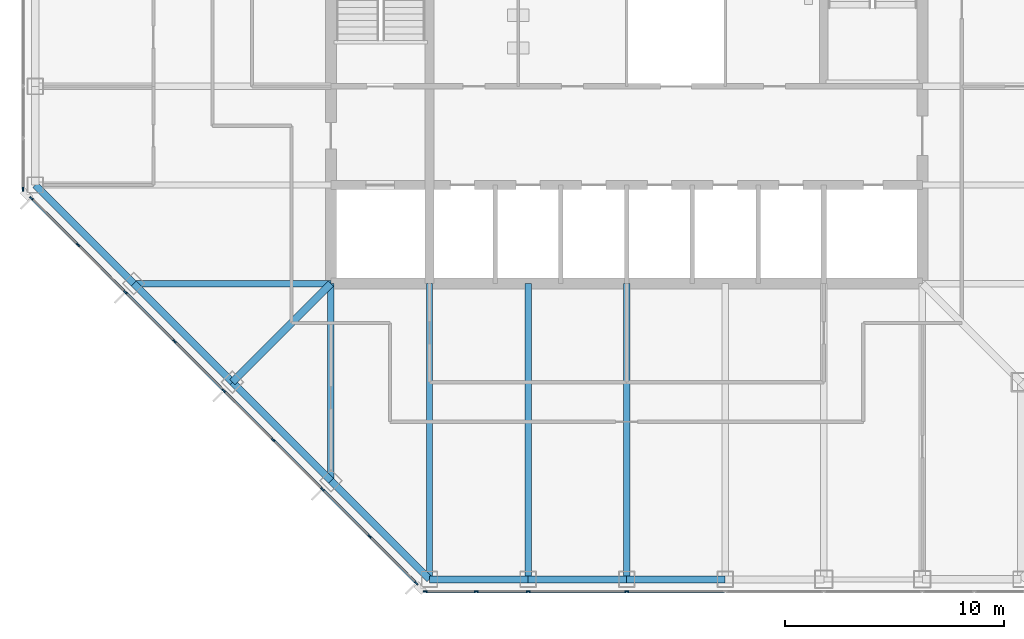
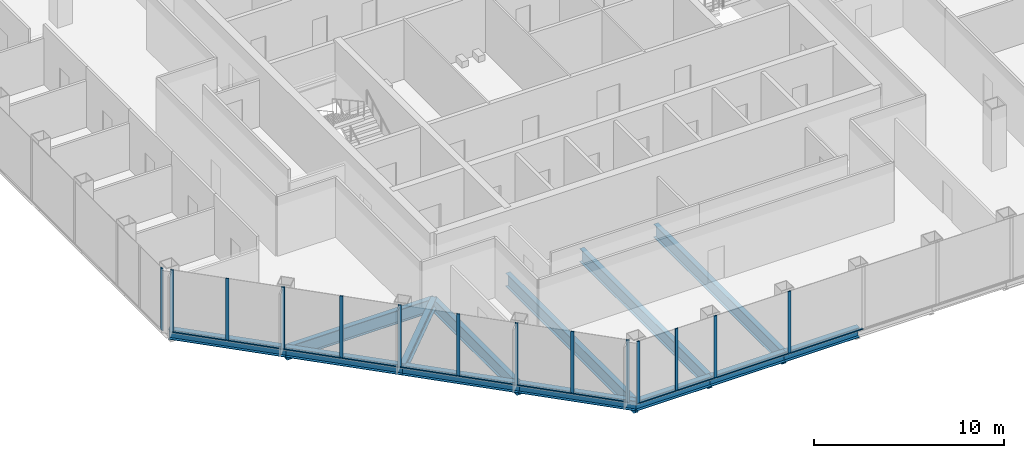
# One storey, part 2 of 13: 26 members, 13 beams, 3 elements without a shape of their own.
"""IFC4 building model written with IfcOpenShell, lengths in metres."""

import ifcopenshell
import ifcopenshell.guid

model = None  # the IFC model being written
_history = None  # IfcOwnerHistory: only IFC2X3 demands one
_inside = {}  # id of a spatial element -> (the spatial element, [elements in it])
_under = {}  # id of a project, library or spatial element -> (it, [spatial elements below it])
_declared = {}  # id of a project -> (the project, [libraries it declares])
_typed = {}  # id of a type object -> (the type object, [elements of that type])
_made_of = {}  # id of a material, layer set ... -> (it, [elements and type objects made of it])


def new_model(schema):
    """Start an empty IFC model of exactly this schema.

    Asked for "IFC4X3", IfcOpenShell would pick the latest addendum, in which some entities
    have other attributes; the version numbers below select the first issue.
    IFC2X3 requires an IfcOwnerHistory on every rooted entity: one is made here for all.
    """
    global model, _history
    if schema == "IFC4X3":
        model = ifcopenshell.file(schema_version=(4, 3, 0, 0))
    else:
        model = ifcopenshell.file(schema=schema)
    _inside.clear()
    _under.clear()
    _declared.clear()
    _typed.clear()
    _made_of.clear()
    _history = None
    if model.schema == "IFC2X3":
        org = make("IfcOrganization", Name="unknown")
        user = make(
            "IfcPersonAndOrganization",
            ThePerson=make("IfcPerson", FamilyName="unknown"),
            TheOrganization=org,
        )
        app = make(
            "IfcApplication",
            ApplicationDeveloper=org,
            Version="unknown",
            ApplicationFullName="unknown",
            ApplicationIdentifier="unknown",
        )
        _history = make(
            "IfcOwnerHistory",
            OwningUser=user,
            OwningApplication=app,
            ChangeAction="ADDED",
            CreationDate=0,
        )
    return model


def make(cls, **values):
    """One entity of the class cls with the attributes given. An attribute that is None is left unset."""
    return model.create_entity(
        cls, **{name: value for name, value in values.items() if value is not None}
    )


def rooted(cls, **values):
    """An entity with a GlobalId (a new one), such as an element, a storey or a relation."""
    return make(cls, GlobalId=ifcopenshell.guid.new(), OwnerHistory=_history, **values)


def si_unit(unit_type, name, prefix=None):
    """IfcSIUnit, for example si_unit("LENGTHUNIT", "METRE", prefix="MILLI")."""
    return make("IfcSIUnit", UnitType=unit_type, Prefix=prefix, Name=name)


def assignment(units):
    """IfcUnitAssignment: the units of a project."""
    return None if units is None else make("IfcUnitAssignment", Units=units)


def point(xyz):
    """IfcCartesianPoint."""
    return None if xyz is None else make("IfcCartesianPoint", Coordinates=xyz)


def direction(xyz):
    """IfcDirection."""
    return None if xyz is None else make("IfcDirection", DirectionRatios=xyz)


def frame(location, z_axis=None, x_axis=None):
    """IfcAxis2Placement3D, a coordinate frame: its origin and axes. An axis left out is left unset."""
    return make(
        "IfcAxis2Placement3D",
        Location=point(location),
        Axis=direction(z_axis),
        RefDirection=direction(x_axis),
    )


def frame_2d(location, x_axis=None):
    """IfcAxis2Placement2D, a coordinate frame in the plane: its origin and x axis."""
    return make(
        "IfcAxis2Placement2D", Location=point(location), RefDirection=direction(x_axis)
    )


def origin():
    """The frame at (0, 0, 0) with its axes left unset."""
    return frame((0.0, 0.0, 0.0))


def origin_2d():
    """The frame at (0, 0) in the plane with its x axis left unset."""
    return frame_2d((0.0, 0.0))


def place(relative_to, where):
    """IfcLocalPlacement: puts the frame where relative to a parent placement (None: the world)."""
    return make(
        "IfcLocalPlacement", PlacementRelTo=relative_to, RelativePlacement=where
    )


def context(
    kind, dimensions, precision=None, world=None, true_north=None, identifier=None
):
    """IfcGeometricRepresentationContext, for example the 3D "Model" context."""
    return make(
        "IfcGeometricRepresentationContext",
        ContextIdentifier=identifier,
        ContextType=kind,
        CoordinateSpaceDimension=dimensions,
        Precision=precision,
        WorldCoordinateSystem=world,
        TrueNorth=true_north,
    )


def subcontext(parent, identifier, kind, view, scale=None):
    """IfcGeometricRepresentationSubContext, for example "Body" below "Model"."""
    return make(
        "IfcGeometricRepresentationSubContext",
        ContextIdentifier=identifier,
        ContextType=kind,
        ParentContext=parent,
        TargetScale=scale,
        TargetView=view,
    )


def project(units=None, contexts=None):
    """IfcProject with its units and contexts."""
    return rooted(
        "IfcProject",
        Name="project",
        RepresentationContexts=contexts,
        UnitsInContext=assignment(units),
    )


def spatial(cls, under=None, at=None, **own):
    """A site, building, storey or space (cls), placed at a placement, below another one or the project."""
    s = rooted(cls, ObjectPlacement=at, **own)
    if under is not None:
        _under.setdefault(under.id(), (under, []))[1].append(s)
    return s


def profile(cls, at=None, kind="AREA", **sizes):
    """A parametric profile (cls). Its sizes go by their IFC names, for example OverallWidth=200.0."""
    return make(cls, ProfileType=kind, Position=at, **sizes)


def rectangle(**sizes):
    """IfcRectangleProfileDef."""
    return profile("IfcRectangleProfileDef", **sizes)


def i_section(**sizes):
    """IfcIShapeProfileDef."""
    return profile("IfcIShapeProfileDef", **sizes)


def extrude(swept, where, along, depth):
    """IfcExtrudedAreaSolid: the profile swept, set in the frame where, extruded along a direction by depth."""
    return make(
        "IfcExtrudedAreaSolid",
        SweptArea=swept,
        Position=where,
        ExtrudedDirection=direction(along),
        Depth=depth,
    )


def shape(context_of_items, identifier, shape_type, items):
    """IfcShapeRepresentation: the items that make up one representation, for example the "Body"."""
    return make(
        "IfcShapeRepresentation",
        ContextOfItems=context_of_items,
        RepresentationIdentifier=identifier,
        RepresentationType=shape_type,
        Items=items,
    )


def material(Name=None, Category=None):
    """IfcMaterial."""
    return make("IfcMaterial", Name=Name, Category=Category)


def material_profile(
    of_material, cross_section, Name=None, Category=None, Priority=None
):
    """IfcMaterialProfile: a cross section and its material."""
    return make(
        "IfcMaterialProfile",
        Name=Name,
        Material=of_material,
        Profile=cross_section,
        Priority=Priority,
        Category=Category,
    )


def profile_set(profiles, Name=None, composite=None):
    """IfcMaterialProfileSet."""
    return make(
        "IfcMaterialProfileSet",
        Name=Name,
        MaterialProfiles=profiles,
        CompositeProfile=composite,
    )


def made_of(thing, what):
    """Note that an element or type object is made of a material, layer set ...; save() writes the relation."""
    if what is not None:
        _made_of.setdefault(what.id(), (what, []))[1].append(thing)
    return thing


def type_object(cls, material=None, **own):
    """A type object (cls), such as IfcWallType, which elements share."""
    return made_of(rooted(cls, **own), material)


def element(
    cls,
    number,
    at=None,
    inside=None,
    cuts=None,
    type_object=None,
    material=None,
    context=None,
    identifier="Body",
    shape_type=None,
    held_by="IfcProductDefinitionShape",
    body=None,
    shapes=None,
    **own,
):
    """One element of the class cls, such as IfcWall. Its Tag is "e" and its number.

    at: its placement. inside: the storey or other place that contains it. cuts: it is an
    opening in that element (IfcRelVoidsElement). A single representation is given by context,
    identifier, shape_type and body (its items); several are given by shapes. held_by: the class
    of the entity that holds the representations. save() writes the other relations.
    """
    e = rooted(cls, Tag="e%d" % number, ObjectPlacement=at, **own)
    if body is not None:
        shapes = [shape(context, identifier, shape_type, body)]
    if shapes is not None:
        e.Representation = make(held_by, Representations=shapes)
    if inside is not None:
        _inside.setdefault(inside.id(), (inside, []))[1].append(e)
    if cuts is not None:
        rooted(
            "IfcRelVoidsElement", RelatingBuildingElement=cuts, RelatedOpeningElement=e
        )
    if type_object is not None:
        _typed.setdefault(type_object.id(), (type_object, []))[1].append(e)
    return made_of(e, material)


def aggregate(whole, parts):
    """IfcRelAggregates: a whole, such as a stair, and the parts it consists of."""
    return rooted("IfcRelAggregates", RelatingObject=whole, RelatedObjects=parts)


def save(model, path):
    """Write the relations noted so far, then the file.

    IfcRelAggregates (storeys below a building ...), IfcRelContainedInSpatialStructure (elements
    in a storey), IfcRelDefinesByType, IfcRelAssociatesMaterial and IfcRelDeclares: one each for
    every whole, place, type object, material and project.
    """
    for whole, parts in _under.values():
        aggregate(whole, parts)
    for where, things in _inside.values():
        rooted(
            "IfcRelContainedInSpatialStructure",
            RelatedElements=things,
            RelatingStructure=where,
        )
    for kind, things in _typed.values():
        rooted("IfcRelDefinesByType", RelatedObjects=things, RelatingType=kind)
    for what, things in _made_of.values():
        rooted("IfcRelAssociatesMaterial", RelatedObjects=things, RelatingMaterial=what)
    for by, libraries in _declared.values():
        rooted("IfcRelDeclares", RelatingContext=by, RelatedDefinitions=libraries)
    model.write(path)


model = new_model("IFC4")

# Units and contexts
model_context = context("Model", 3, precision=1e-05, world=origin(), true_north=direction((0.0, 1.0)))
body_context = subcontext(model_context, "Body", "Model", "MODEL_VIEW")
ifc_project = project(units=[si_unit("LENGTHUNIT", "METRE"), si_unit("AREAUNIT", "SQUARE_METRE"), si_unit("VOLUMEUNIT", "CUBIC_METRE"), si_unit("PLANEANGLEUNIT", "RADIAN"), si_unit("MASSUNIT", "GRAM", prefix="KILO")], contexts=[model_context])

# Site, building, storey
site_placement = place(None, origin())
site = spatial("IfcSite", under=ifc_project, at=site_placement, CompositionType="ELEMENT")
building_placement = place(site_placement, origin())
building = spatial("IfcBuilding", under=site, at=building_placement, Name="Corais Broadcast Tower", CompositionType="ELEMENT")
storey_placement = place(building_placement, frame((0.0, 0.0, 151.60009765625)))
storey = spatial("IfcBuildingStorey", under=building, at=storey_placement, Name="L34", CompositionType="ELEMENT", Elevation=151.60009765625)

# Beams
ifc_material_1 = material(Name="Steel ASTM A572 Grade 50", Category="steel")
ifc_material_profile_1 = material_profile(ifc_material_1, i_section(OverallWidth=0.323974609375, OverallDepth=0.611083984375, WebThickness=0.0126953125, FlangeThickness=0.01904296875, at=origin_2d()), Name="W610x155")
ifc_profile_set_1 = profile_set([ifc_material_profile_1], Name="Steel ASTM A572 Grade 50")
beam_type_1 = type_object("IfcBeamType", Name="Corner diagonal W610x155", PredefinedType="BEAM", material=ifc_profile_set_1)
beam_1_placement = place(storey_placement, frame((9.0, 9.0, -0.465576171875), z_axis=(0.707106781187, 0.707106781187, 0.0), x_axis=(-0.707106781187, 0.707106781187, 0.0)))
element("IfcBeam", 1, at=beam_1_placement, inside=storey, type_object=beam_type_1, Name="B6 C/5 to D/6", PredefinedType="BEAM", context=body_context, shape_type="SweptSolid", body=[
    extrude(i_section(OverallWidth=0.323974609375, OverallDepth=0.611083984375, WebThickness=0.0126953125, FlangeThickness=0.01904296875, at=origin_2d()), origin(), (0.0, 0.0, 1.0), 6.364013671875),
])
ifc_material_2 = material(Name="Steel ASTM A572 Grade 50", Category="steel")
ifc_material_profile_2 = material_profile(ifc_material_2, i_section(OverallWidth=0.2939453125, OverallDepth=0.85107421875, WebThickness=0.01611328125, FlangeThickness=0.02685546875, at=origin_2d()), Name="W840x226")
ifc_profile_set_2 = profile_set([ifc_material_profile_2], Name="Steel ASTM A572 Grade 50")
beam_type_2 = type_object("IfcBeamType", Name="Floor beam W840x226", PredefinedType="BEAM", material=ifc_profile_set_2)
beam_2_placement = place(storey_placement, frame((13.5, 4.5, -0.585693359375), z_axis=(0.0, 1.0, 0.0), x_axis=(-1.0, 0.0, 0.0)))
element("IfcBeam", 2, at=beam_2_placement, inside=storey, type_object=beam_type_2, Name="B1 B/6 to D/6", PredefinedType="BEAM", context=body_context, shape_type="SweptSolid", body=[
    extrude(i_section(OverallWidth=0.2939453125, OverallDepth=0.85107421875, WebThickness=0.01611328125, FlangeThickness=0.02685546875, at=origin_2d()), origin(), (0.0, 0.0, 1.0), 9.0),
])
for number, where, z_axis, x_axis, name in (
    (3, (18.0, 0.0, -0.585693359375), (0.0, 1.0, 0.0), (-1.0, 0.0, 0.0), "B1 A/7 to D/7"),
    (4, (22.5, 0.0, -0.585693359375), (0.0, 1.0, 0.0), (-1.0, 0.0, 0.0), "B1 A/8 to D/8"),
    (5, (27.0, 0.0, -0.585693359375), (0.0, 1.0, 0.0), (-1.0, 0.0, 0.0), "B1 A/9 to D/9"),
):
    element("IfcBeam", number, at=place(storey_placement, frame(where, z_axis=z_axis, x_axis=x_axis)), inside=storey, type_object=beam_type_2, Name=name, PredefinedType="BEAM", context=body_context, shape_type="SweptSolid", body=[
        extrude(i_section(OverallWidth=0.2939453125, OverallDepth=0.85107421875, WebThickness=0.01611328125, FlangeThickness=0.02685546875, at=origin_2d()), origin(), (0.0, 0.0, 1.0), 13.5),
    ])
beam_3_placement = place(storey_placement, frame((4.5, 13.5, -0.585693359375), z_axis=(1.0, 0.0, 0.0), x_axis=(0.0, 1.0, 0.0)))
element("IfcBeam", 6, at=beam_3_placement, inside=storey, type_object=beam_type_2, Name="B1 D/4 to D/6", PredefinedType="BEAM", context=body_context, shape_type="SweptSolid", body=[
    extrude(i_section(OverallWidth=0.2939453125, OverallDepth=0.85107421875, WebThickness=0.01611328125, FlangeThickness=0.02685546875, at=origin_2d()), origin(), (0.0, 0.0, 1.0), 9.0),
])

# Curtain wall, members
ifc_material_3 = material(Name="Aluminium and glass", Category="aluminium")
curtain_wall_type = type_object("IfcCurtainWallType", Name="Unitised fritted curtain wall CW2", PredefinedType="NOTDEFINED", material=ifc_material_3)
curtain_wall_1_placement = place(storey_placement, origin())
curtain_wall_1 = element("IfcCurtainWall", 7, at=curtain_wall_1_placement, inside=storey, type_object=curtain_wall_type, Name="CW2 curtain wall L34 1", PredefinedType="NOTDEFINED")
ifc_material_4 = material(Name="Aluminium 6063-T6", Category="aluminium")
ifc_material_profile_3 = material_profile(ifc_material_4, rectangle(XDim=0.06494140625, YDim=0.179931640625, at=origin_2d()), Name="Mullion CW2 65x180")
ifc_profile_set_3 = profile_set([ifc_material_profile_3], Name="Aluminium 6063-T6")
member_type_1 = type_object("IfcMemberType", Name="Mullion CW2 65x180", PredefinedType="MULLION", material=ifc_profile_set_3)
member_1_placement = place(storey_placement, frame((17.3955078125, -0.17333984375, 0.0), z_axis=(0.0, 0.0, 1.0), x_axis=(-0.707106781187, -0.707106781187, 0.0)))
member_1 = element("IfcMember", 8, at=member_1_placement, type_object=member_type_1, Name="CW2 mullion 1", PredefinedType="MULLION", context=body_context, shape_type="SweptSolid", body=[
    extrude(rectangle(XDim=0.06494140625, YDim=0.179931640625, at=origin_2d()), origin(), (0.0, 0.0, 1.0), 4.0),
])
member_2_placement = place(storey_placement, frame((15.264892578125, 1.957275390625, 0.0), z_axis=(0.0, 0.0, 1.0), x_axis=(-0.707106781187, -0.707106781187, 0.0)))
member_2 = element("IfcMember", 9, at=member_2_placement, type_object=member_type_1, Name="CW2 mullion 2", PredefinedType="MULLION", context=body_context, shape_type="SweptSolid", body=[
    extrude(rectangle(XDim=0.06494140625, YDim=0.179931640625, at=origin_2d()), origin(), (0.0, 0.0, 1.0), 4.0),
])
member_3_placement = place(storey_placement, frame((13.111083984375, 4.111083984375, 0.0), z_axis=(0.0, 0.0, 1.0), x_axis=(-0.707106781187, -0.707106781187, 0.0)))
member_3 = element("IfcMember", 10, at=member_3_placement, type_object=member_type_1, Name="CW2 mullion 3", PredefinedType="MULLION", context=body_context, shape_type="SweptSolid", body=[
    extrude(rectangle(XDim=0.06494140625, YDim=0.179931640625, at=origin_2d()), origin(), (0.0, 0.0, 1.0), 4.0),
])
member_4_placement = place(storey_placement, frame((10.861083984375, 6.361083984375, 0.0), z_axis=(0.0, 0.0, 1.0), x_axis=(-0.707106781187, -0.707106781187, 0.0)))
member_4 = element("IfcMember", 11, at=member_4_placement, type_object=member_type_1, Name="CW2 mullion 4", PredefinedType="MULLION", context=body_context, shape_type="SweptSolid", body=[
    extrude(rectangle(XDim=0.06494140625, YDim=0.179931640625, at=origin_2d()), origin(), (0.0, 0.0, 1.0), 4.0),
])
member_5_placement = place(storey_placement, frame((8.611083984375, 8.611083984375, 0.0), z_axis=(0.0, 0.0, 1.0), x_axis=(-0.707106781187, -0.707106781187, 0.0)))
member_5 = element("IfcMember", 12, at=member_5_placement, type_object=member_type_1, Name="CW2 mullion 5", PredefinedType="MULLION", context=body_context, shape_type="SweptSolid", body=[
    extrude(rectangle(XDim=0.06494140625, YDim=0.179931640625, at=origin_2d()), origin(), (0.0, 0.0, 1.0), 4.0),
])
member_6_placement = place(storey_placement, frame((6.361083984375, 10.861083984375, 0.0), z_axis=(0.0, 0.0, 1.0), x_axis=(-0.707106781187, -0.707106781187, 0.0)))
member_6 = element("IfcMember", 13, at=member_6_placement, type_object=member_type_1, Name="CW2 mullion 6", PredefinedType="MULLION", context=body_context, shape_type="SweptSolid", body=[
    extrude(rectangle(XDim=0.06494140625, YDim=0.179931640625, at=origin_2d()), origin(), (0.0, 0.0, 1.0), 4.0),
])
member_7_placement = place(storey_placement, frame((4.111083984375, 13.111083984375, 0.0), z_axis=(0.0, 0.0, 1.0), x_axis=(-0.707106781187, -0.707106781187, 0.0)))
member_7 = element("IfcMember", 14, at=member_7_placement, type_object=member_type_1, Name="CW2 mullion 7", PredefinedType="MULLION", context=body_context, shape_type="SweptSolid", body=[
    extrude(rectangle(XDim=0.06494140625, YDim=0.179931640625, at=origin_2d()), origin(), (0.0, 0.0, 1.0), 4.0),
])
member_8_placement = place(storey_placement, frame((1.957275390625, 15.264892578125, 0.0), z_axis=(0.0, 0.0, 1.0), x_axis=(-0.707106781187, -0.707106781187, 0.0)))
member_8 = element("IfcMember", 15, at=member_8_placement, type_object=member_type_1, Name="CW2 mullion 8", PredefinedType="MULLION", context=body_context, shape_type="SweptSolid", body=[
    extrude(rectangle(XDim=0.06494140625, YDim=0.179931640625, at=origin_2d()), origin(), (0.0, 0.0, 1.0), 4.0),
])
member_9_placement = place(storey_placement, frame((-0.17333984375, 17.3955078125, 0.0), z_axis=(0.0, 0.0, 1.0), x_axis=(-0.707106781187, -0.707106781187, 0.0)))
member_9 = element("IfcMember", 16, at=member_9_placement, type_object=member_type_1, Name="CW2 mullion 9", PredefinedType="MULLION", context=body_context, shape_type="SweptSolid", body=[
    extrude(rectangle(XDim=0.06494140625, YDim=0.179931640625, at=origin_2d()), origin(), (0.0, 0.0, 1.0), 4.0),
])

# Curtain wall, member
curtain_wall_2_placement = place(storey_placement, origin())
curtain_wall_2 = element("IfcCurtainWall", 17, at=curtain_wall_2_placement, inside=storey, type_object=curtain_wall_type, Name="CW2 curtain wall L34 2", PredefinedType="NOTDEFINED")
member_10_placement = place(storey_placement, frame((-0.550048828125, 17.8046875, 0.0), z_axis=(0.0, 0.0, 1.0), x_axis=(-1.0, 0.0, 0.0)))
member_10 = element("IfcMember", 18, at=member_10_placement, type_object=member_type_1, Name="CW2 mullion 1", PredefinedType="MULLION", context=body_context, shape_type="SweptSolid", body=[
    extrude(rectangle(XDim=0.06494140625, YDim=0.179931640625, at=origin_2d()), origin(), (0.0, 0.0, 1.0), 4.0),
])
aggregate(curtain_wall_2, [member_10])

# Curtain wall, members
curtain_wall_3_placement = place(storey_placement, origin())
curtain_wall_3 = element("IfcCurtainWall", 19, at=curtain_wall_3_placement, inside=storey, type_object=curtain_wall_type, Name="CW2 curtain wall L34 8", PredefinedType="NOTDEFINED")
member_11_placement = place(storey_placement, frame((27.0, -0.550048828125, 0.0), z_axis=(0.0, 0.0, 1.0), x_axis=(0.0, -1.0, 0.0)))
member_11 = element("IfcMember", 20, at=member_11_placement, type_object=member_type_1, Name="CW2 mullion 6", PredefinedType="MULLION", context=body_context, shape_type="SweptSolid", body=[
    extrude(rectangle(XDim=0.06494140625, YDim=0.179931640625, at=origin_2d()), origin(), (0.0, 0.0, 1.0), 4.0),
])
member_12_placement = place(storey_placement, frame((22.5, -0.550048828125, 0.0), z_axis=(0.0, 0.0, 1.0), x_axis=(0.0, -1.0, 0.0)))
member_12 = element("IfcMember", 21, at=member_12_placement, type_object=member_type_1, Name="CW2 mullion 7", PredefinedType="MULLION", context=body_context, shape_type="SweptSolid", body=[
    extrude(rectangle(XDim=0.06494140625, YDim=0.179931640625, at=origin_2d()), origin(), (0.0, 0.0, 1.0), 4.0),
])
member_13_placement = place(storey_placement, frame((20.135986328125, -0.550048828125, 0.0), z_axis=(0.0, 0.0, 1.0), x_axis=(0.0, -1.0, 0.0)))
member_13 = element("IfcMember", 22, at=member_13_placement, type_object=member_type_1, Name="CW2 mullion 8", PredefinedType="MULLION", context=body_context, shape_type="SweptSolid", body=[
    extrude(rectangle(XDim=0.06494140625, YDim=0.179931640625, at=origin_2d()), origin(), (0.0, 0.0, 1.0), 4.0),
])
member_14_placement = place(storey_placement, frame((17.8046875, -0.550048828125, 0.0), z_axis=(0.0, 0.0, 1.0), x_axis=(0.0, -1.0, 0.0)))
member_14 = element("IfcMember", 23, at=member_14_placement, type_object=member_type_1, Name="CW2 mullion 9", PredefinedType="MULLION", context=body_context, shape_type="SweptSolid", body=[
    extrude(rectangle(XDim=0.06494140625, YDim=0.179931640625, at=origin_2d()), origin(), (0.0, 0.0, 1.0), 4.0),
])

# Beams
ifc_material_5 = material(Name="Steel ASTM A572 Grade 50", Category="steel")
ifc_material_profile_4 = material_profile(ifc_material_5, i_section(OverallWidth=0.3291015625, OverallDepth=0.635009765625, WebThickness=0.017822265625, FlangeThickness=0.031005859375, at=origin_2d()), Name="W610x241")
ifc_profile_set_4 = profile_set([ifc_material_profile_4], Name="Steel ASTM A572 Grade 50")
beam_type_3 = type_object("IfcBeamType", Name="Spandrel W610x241", PredefinedType="BEAM", material=ifc_profile_set_4)
for number, where, z_axis, x_axis, name in (
    (24, (0.0, 18.0, -0.4775390625), (0.707106781187, -0.707106781187, 0.0), (0.707106781187, 0.707106781187, 0.0), "SB1 E/3 to D/4"),
    (25, (13.5, 4.5, -0.4775390625), (0.707106781187, -0.707106781187, 0.0), (0.707106781187, 0.707106781187, 0.0), "SB1 B/6 to A/7"),
):
    element("IfcBeam", number, at=place(storey_placement, frame(where, z_axis=z_axis, x_axis=x_axis)), inside=storey, type_object=beam_type_3, Name=name, PredefinedType="BEAM", context=body_context, shape_type="SweptSolid", body=[
        extrude(i_section(OverallWidth=0.3291015625, OverallDepth=0.635009765625, WebThickness=0.017822265625, FlangeThickness=0.031005859375, at=origin_2d()), origin(), (0.0, 0.0, 1.0), 6.364013671875),
    ])
for number, where, z_axis, x_axis, name in (
    (26, (18.0, 0.0, -0.4775390625), (1.0, 0.0, 0.0), (0.0, 1.0, 0.0), "SB1 A/7 to A/8"),
    (27, (22.5, 0.0, -0.4775390625), (1.0, 0.0, 0.0), (0.0, 1.0, 0.0), "SB1 A/8 to A/9"),
    (28, (27.0, 0.0, -0.4775390625), (1.0, 0.0, 0.0), (0.0, 1.0, 0.0), "SB1 A/9 to A/10"),
):
    element("IfcBeam", number, at=place(storey_placement, frame(where, z_axis=z_axis, x_axis=x_axis)), inside=storey, type_object=beam_type_3, Name=name, PredefinedType="BEAM", context=body_context, shape_type="SweptSolid", body=[
        extrude(i_section(OverallWidth=0.3291015625, OverallDepth=0.635009765625, WebThickness=0.017822265625, FlangeThickness=0.031005859375, at=origin_2d()), origin(), (0.0, 0.0, 1.0), 4.5),
    ])
for number, where, z_axis, x_axis, name in (
    (29, (4.5, 13.5, -0.4775390625), (0.707106781187, -0.707106781187, 0.0), (0.707106781187, 0.707106781187, 0.0), "SB1 D/4 to C/5"),
    (30, (9.0, 9.0, -0.4775390625), (0.707106781187, -0.707106781187, 0.0), (0.707106781187, 0.707106781187, 0.0), "SB1 C/5 to B/6"),
):
    element("IfcBeam", number, at=place(storey_placement, frame(where, z_axis=z_axis, x_axis=x_axis)), inside=storey, type_object=beam_type_3, Name=name, PredefinedType="BEAM", context=body_context, shape_type="SweptSolid", body=[
        extrude(i_section(OverallWidth=0.3291015625, OverallDepth=0.635009765625, WebThickness=0.017822265625, FlangeThickness=0.031005859375, at=origin_2d()), origin(), (0.0, 0.0, 1.0), 6.364013671875),
    ])

# Member
ifc_material_6 = material(Name="Aluminium 6063-T6", Category="aluminium")
ifc_material_profile_5 = material_profile(ifc_material_6, rectangle(XDim=0.1298828125, YDim=0.06494140625, at=origin_2d()), Name="Transom CW2 65x130")
ifc_profile_set_5 = profile_set([ifc_material_profile_5], Name="Aluminium 6063-T6")
member_type_2 = type_object("IfcMemberType", Name="Transom CW2 65x130", PredefinedType="USERDEFINED", material=ifc_profile_set_5)
member_15_placement = place(storey_placement, frame((17.37255859375, -0.150390625, 0.032470703125), z_axis=(-0.707106781187, 0.707106781187, 0.0), x_axis=(-0.707106781187, -0.707106781187, 0.0)))
member_15 = element("IfcMember", 31, at=member_15_placement, type_object=member_type_2, Name="CW2 transom 1.1", ObjectType="TRANSOM", PredefinedType="USERDEFINED", context=body_context, shape_type="SweptSolid", body=[
    extrude(rectangle(XDim=0.1298828125, YDim=0.06494140625, at=origin_2d()), origin(), (0.0, 0.0, 1.0), 2.9482421875),
])

member_16_placement = place(storey_placement, frame((15.241943359375, 1.980224609375, 0.032470703125), z_axis=(-0.707106781187, 0.707106781187, 0.0), x_axis=(-0.707106781187, -0.707106781187, 0.0)))
member_16 = element("IfcMember", 32, at=member_16_placement, type_object=member_type_2, Name="CW2 transom 2.1", ObjectType="TRANSOM", PredefinedType="USERDEFINED", context=body_context, shape_type="SweptSolid", body=[
    extrude(rectangle(XDim=0.1298828125, YDim=0.06494140625, at=origin_2d()), origin(), (0.0, 0.0, 1.0), 2.98095703125),
])

member_17_placement = place(storey_placement, frame((13.088134765625, 4.134033203125, 0.032470703125), z_axis=(-0.707106781187, 0.707106781187, 0.0), x_axis=(-0.707106781187, -0.707106781187, 0.0)))
member_17 = element("IfcMember", 33, at=member_17_placement, type_object=member_type_2, Name="CW2 transom 3.1", ObjectType="TRANSOM", PredefinedType="USERDEFINED", context=body_context, shape_type="SweptSolid", body=[
    extrude(rectangle(XDim=0.1298828125, YDim=0.06494140625, at=origin_2d()), origin(), (0.0, 0.0, 1.0), 3.1171875),
])

member_18_placement = place(storey_placement, frame((10.838134765625, 6.384033203125, 0.032470703125), z_axis=(-0.707106781187, 0.707106781187, 0.0), x_axis=(-0.707106781187, -0.707106781187, 0.0)))
member_18 = element("IfcMember", 34, at=member_18_placement, type_object=member_type_2, Name="CW2 transom 4.1", ObjectType="TRANSOM", PredefinedType="USERDEFINED", context=body_context, shape_type="SweptSolid", body=[
    extrude(rectangle(XDim=0.1298828125, YDim=0.06494140625, at=origin_2d()), origin(), (0.0, 0.0, 1.0), 3.1171875),
])

member_19_placement = place(storey_placement, frame((8.588134765625, 8.634033203125, 0.032470703125), z_axis=(-0.707106781187, 0.707106781187, 0.0), x_axis=(-0.707106781187, -0.707106781187, 0.0)))
member_19 = element("IfcMember", 35, at=member_19_placement, type_object=member_type_2, Name="CW2 transom 5.1", ObjectType="TRANSOM", PredefinedType="USERDEFINED", context=body_context, shape_type="SweptSolid", body=[
    extrude(rectangle(XDim=0.1298828125, YDim=0.06494140625, at=origin_2d()), origin(), (0.0, 0.0, 1.0), 3.1171875),
])

member_20_placement = place(storey_placement, frame((6.338134765625, 10.884033203125, 0.032470703125), z_axis=(-0.707106781187, 0.707106781187, 0.0), x_axis=(-0.707106781187, -0.707106781187, 0.0)))
member_20 = element("IfcMember", 36, at=member_20_placement, type_object=member_type_2, Name="CW2 transom 6.1", ObjectType="TRANSOM", PredefinedType="USERDEFINED", context=body_context, shape_type="SweptSolid", body=[
    extrude(rectangle(XDim=0.1298828125, YDim=0.06494140625, at=origin_2d()), origin(), (0.0, 0.0, 1.0), 3.1171875),
])

member_21_placement = place(storey_placement, frame((4.088134765625, 13.134033203125, 0.032470703125), z_axis=(-0.707065828661, 0.70714773134, 0.0), x_axis=(-0.70714773134, -0.707065828661, 0.0)))
member_21 = element("IfcMember", 37, at=member_21_placement, type_object=member_type_2, Name="CW2 transom 7.1", ObjectType="TRANSOM", PredefinedType="USERDEFINED", context=body_context, shape_type="SweptSolid", body=[
    extrude(rectangle(XDim=0.1298828125, YDim=0.06494140625, at=origin_2d()), origin(), (0.0, 0.0, 1.0), 2.98095703125),
])

member_22_placement = place(storey_placement, frame((1.934326171875, 15.287841796875, 0.032470703125), z_axis=(-0.707106781187, 0.707106781187, 0.0), x_axis=(-0.707106781187, -0.707106781187, 0.0)))
member_22 = element("IfcMember", 38, at=member_22_placement, type_object=member_type_2, Name="CW2 transom 8.1", ObjectType="TRANSOM", PredefinedType="USERDEFINED", context=body_context, shape_type="SweptSolid", body=[
    extrude(rectangle(XDim=0.1298828125, YDim=0.06494140625, at=origin_2d()), origin(), (0.0, 0.0, 1.0), 2.9482421875),
])

aggregate(curtain_wall_1, [member_1, member_2, member_3, member_4, member_5, member_6, member_7, member_8, member_9, member_15, member_16, member_17, member_18, member_19, member_20, member_21, member_22])

member_23_placement = place(storey_placement, frame((31.467529296875, -0.550048828125, 0.032470703125), z_axis=(-1.0, 0.0, 0.0), x_axis=(0.0, -1.0, 0.0)))
member_23 = element("IfcMember", 39, at=member_23_placement, type_object=member_type_2, Name="CW2 transom 5.1", ObjectType="TRANSOM", PredefinedType="USERDEFINED", context=body_context, shape_type="SweptSolid", body=[
    extrude(rectangle(XDim=0.1298828125, YDim=0.06494140625, at=origin_2d()), origin(), (0.0, 0.0, 1.0), 4.43505859375),
])

member_24_placement = place(storey_placement, frame((26.967529296875, -0.550048828125, 0.032470703125), z_axis=(-1.0, 0.0, 0.0), x_axis=(0.0, -1.0, 0.0)))
member_24 = element("IfcMember", 40, at=member_24_placement, type_object=member_type_2, Name="CW2 transom 6.1", ObjectType="TRANSOM", PredefinedType="USERDEFINED", context=body_context, shape_type="SweptSolid", body=[
    extrude(rectangle(XDim=0.1298828125, YDim=0.06494140625, at=origin_2d()), origin(), (0.0, 0.0, 1.0), 4.43505859375),
])

member_25_placement = place(storey_placement, frame((22.467529296875, -0.550048828125, 0.032470703125), z_axis=(-1.0, 0.0, 0.0), x_axis=(0.0, -1.0, 0.0)))
member_25 = element("IfcMember", 41, at=member_25_placement, type_object=member_type_2, Name="CW2 transom 7.1", ObjectType="TRANSOM", PredefinedType="USERDEFINED", context=body_context, shape_type="SweptSolid", body=[
    extrude(rectangle(XDim=0.1298828125, YDim=0.06494140625, at=origin_2d()), origin(), (0.0, 0.0, 1.0), 2.298828125),
])

member_26_placement = place(storey_placement, frame((20.103515625, -0.550048828125, 0.032470703125), z_axis=(-1.0, 0.0, 0.0), x_axis=(0.0, -1.0, 0.0)))
member_26 = element("IfcMember", 42, at=member_26_placement, type_object=member_type_2, Name="CW2 transom 8.1", ObjectType="TRANSOM", PredefinedType="USERDEFINED", context=body_context, shape_type="SweptSolid", body=[
    extrude(rectangle(XDim=0.1298828125, YDim=0.06494140625, at=origin_2d()), origin(), (0.0, 0.0, 1.0), 2.266357421875),
])

aggregate(curtain_wall_3, [member_11, member_12, member_13, member_14, member_23, member_24, member_25, member_26])

save(model, "model.ifc")
